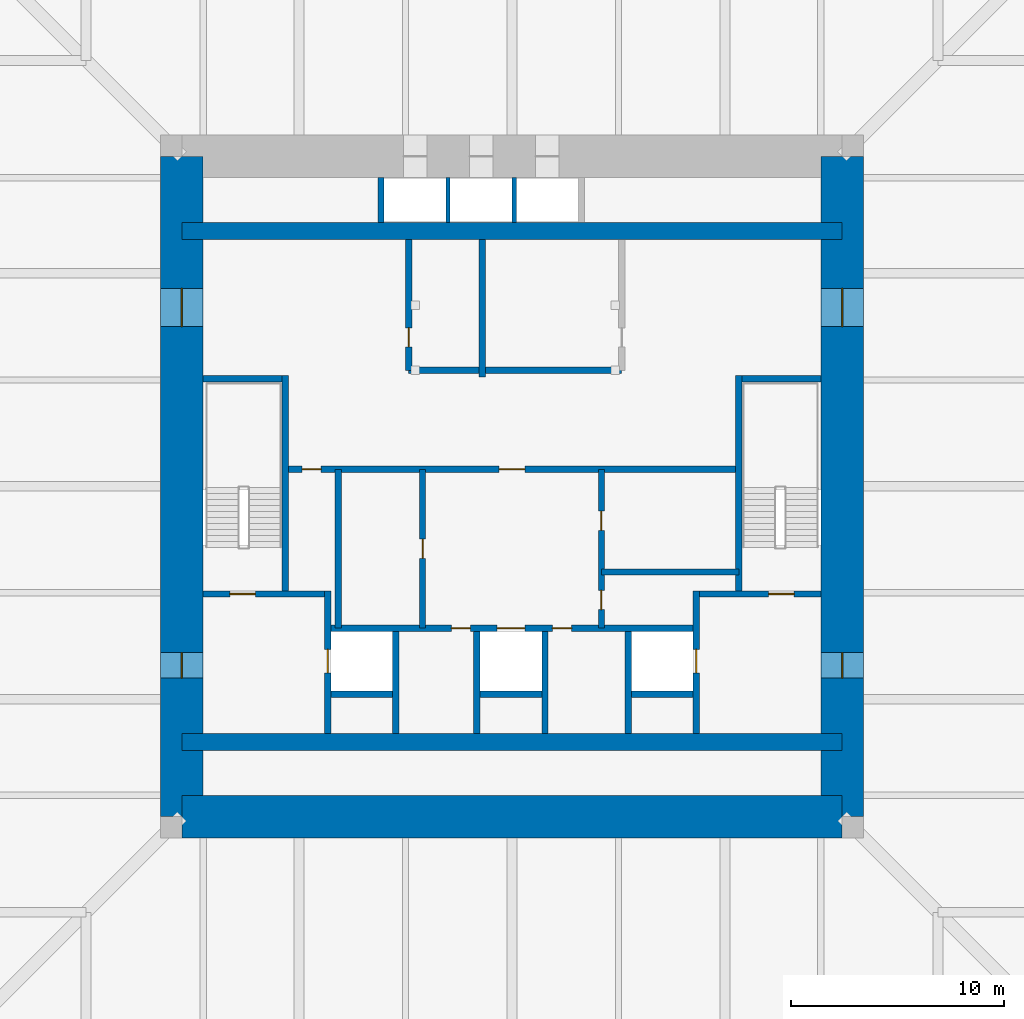
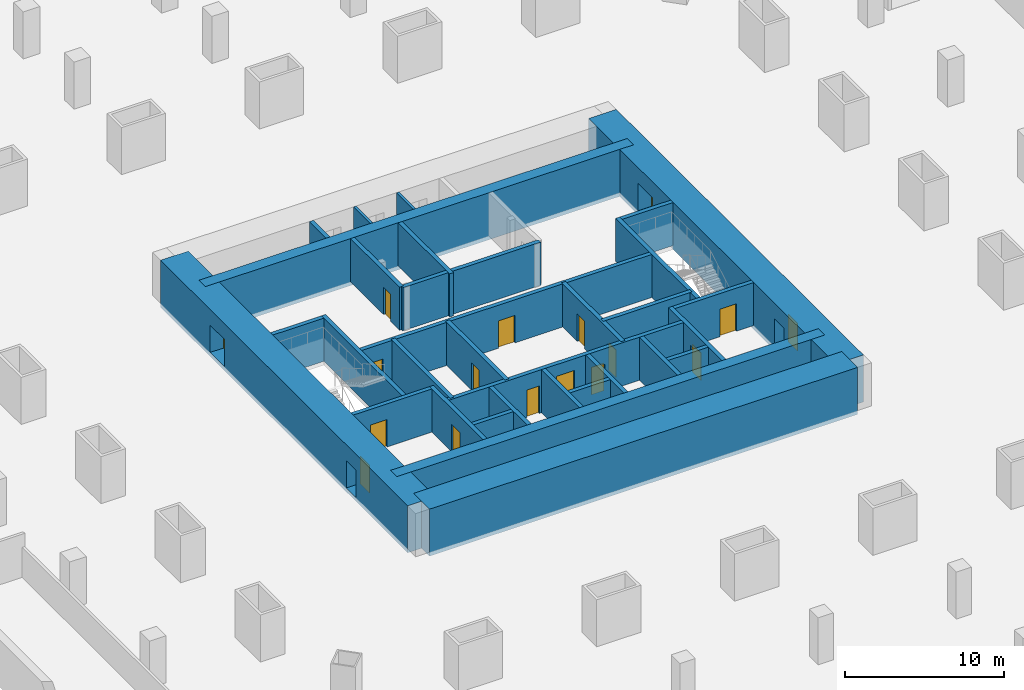
# One storey, part 5 of 11: 32 walls, 17 doors, 17 openings.
"""IFC4 building model written with IfcOpenShell, lengths in metres."""

from ifc_helpers import new_model, si_unit, direction, frame, frame_2d, origin, place, context, subcontext, project, spatial, rectangle, extrude, material, layer, layer_set, type_object, element, fill, save


model = new_model("IFC4")

# Units and contexts
model_context = context("Model", 3, precision=1e-05, world=origin(), true_north=direction((0.0, 1.0)))
body_context = subcontext(model_context, "Body", "Model", "MODEL_VIEW")
ifc_project = project(units=[si_unit("LENGTHUNIT", "METRE"), si_unit("AREAUNIT", "SQUARE_METRE"), si_unit("VOLUMEUNIT", "CUBIC_METRE"), si_unit("PLANEANGLEUNIT", "RADIAN"), si_unit("MASSUNIT", "GRAM", prefix="KILO")], contexts=[model_context])

# Site, building, storey
site_placement = place(None, origin())
site = spatial("IfcSite", under=ifc_project, at=site_placement, CompositionType="ELEMENT")
building_placement = place(site_placement, origin())
building = spatial("IfcBuilding", under=site, at=building_placement, Name="Khuree Lantern Residences", CompositionType="ELEMENT")
storey_placement = place(building_placement, frame((0.0, 0.0, -9.0)))
storey = spatial("IfcBuildingStorey", under=building, at=storey_placement, Name="B2", CompositionType="ELEMENT", Elevation=-9.0)

# Wall, opening, door
ifc_material_1 = material(Name="Dense concrete blockwork", Category="masonry")
ifc_layer_1 = layer(ifc_material_1, 0.300048828125)
ifc_layer_set_1 = layer_set([ifc_layer_1], Name="CORE PARTITION WALL CPW300 EI 120")
wall_type_1 = type_object("IfcWallType", Name="CORE PARTITION WALL CPW300 EI 120", PredefinedType="PARTITIONING", material=ifc_layer_set_1)
wall_1_placement = place(storey_placement, frame((-8.64990234375, -11.60009765625, 0.0), z_axis=(0.0, 0.0, 1.0), x_axis=(0.0, 1.0, 0.0)))
wall_1 = element("IfcWall", 1, at=wall_1_placement, inside=storey, type_object=wall_type_1, Name="B2 CORE WALL FL1W", PredefinedType="PARTITIONING", context=body_context, shape_type="SweptSolid", body=[
    extrude(rectangle(XDim=6.7001953125, YDim=0.300048828125, at=frame_2d((3.35009765625, 0.0))), origin(), (0.0, 0.0, 1.0), 3.300048828125),
])
opening_1_placement = place(wall_1_placement, frame((2.85009765625, 0.0, 0.0)))
opening_1 = element("IfcOpeningElement", 2, at=opening_1_placement, cuts=wall_1, Name="Opening B2-007", PredefinedType="OPENING", context=body_context, shape_type="SweptSolid", body=[
    extrude(rectangle(XDim=1.10009765625, YDim=2.10009765625, at=frame_2d((0.550048828125, 1.050048828125))), frame((0.0, 0.16015625, 0.0), z_axis=(0.0, -1.0, 0.0), x_axis=(1.0, 0.0, 0.0)), (0.0, 0.0, 1.0), 0.320068359375),
])
ifc_material_2 = material(Name="Stainless steel lift landing door", Category="steel")
door_type_1 = type_object("IfcDoorType", Name="LIFT LANDING DOOR 1100X2100 E 120", OperationType="DOUBLE_DOOR_SLIDING", PredefinedType="DOOR", material=ifc_material_2)
door_1_placement = place(opening_1_placement, origin())
door_1 = element("IfcDoor", 3, at=door_1_placement, inside=storey, type_object=door_type_1, Name="Landing door FL1 B2-007", OperationType="DOUBLE_DOOR_SLIDING", OverallHeight=2.10009765625, OverallWidth=1.10009765625, PredefinedType="DOOR", context=body_context, shape_type="SweptSolid", body=[
    extrude(rectangle(XDim=1.10009765625, YDim=2.10009765625, at=frame_2d((0.550048828125, 1.050048828125))), frame((0.0, 0.02490234375, 0.0), z_axis=(0.0, -1.0, 0.0), x_axis=(1.0, 0.0, 0.0)), (0.0, 0.0, 1.0), 0.050048828125),
])
fill(opening_1, door_1)

wall_2_placement = place(storey_placement, frame((8.64990234375, -11.60009765625, 0.0), z_axis=(0.0, 0.0, 1.0), x_axis=(0.0, 1.0, 0.0)))
wall_2 = element("IfcWall", 4, at=wall_2_placement, inside=storey, type_object=wall_type_1, Name="B2 CORE WALL FL2E", PredefinedType="PARTITIONING", context=body_context, shape_type="SweptSolid", body=[
    extrude(rectangle(XDim=6.7001953125, YDim=0.300048828125, at=frame_2d((3.35009765625, 0.0))), origin(), (0.0, 0.0, 1.0), 3.300048828125),
])
opening_2_placement = place(wall_2_placement, frame((2.85009765625, 0.0, 0.0)))
opening_2 = element("IfcOpeningElement", 5, at=opening_2_placement, cuts=wall_2, Name="Opening B2-008", PredefinedType="OPENING", context=body_context, shape_type="SweptSolid", body=[
    extrude(rectangle(XDim=1.10009765625, YDim=2.10009765625, at=frame_2d((0.550048828125, 1.050048828125))), frame((0.0, 0.16015625, 0.0), z_axis=(0.0, -1.0, 0.0), x_axis=(1.0, 0.0, 0.0)), (0.0, 0.0, 1.0), 0.320068359375),
])
door_2_placement = place(opening_2_placement, origin())
door_2 = element("IfcDoor", 6, at=door_2_placement, inside=storey, type_object=door_type_1, Name="Landing door FL2 B2-008", OperationType="DOUBLE_DOOR_SLIDING", OverallHeight=2.10009765625, OverallWidth=1.10009765625, PredefinedType="DOOR", context=body_context, shape_type="SweptSolid", body=[
    extrude(rectangle(XDim=1.10009765625, YDim=2.10009765625, at=frame_2d((0.550048828125, 1.050048828125))), frame((0.0, 0.02490234375, 0.0), z_axis=(0.0, -1.0, 0.0), x_axis=(1.0, 0.0, 0.0)), (0.0, 0.0, 1.0), 0.050048828125),
])
fill(opening_2, door_2)

# Wall, openings, doors
wall_3_placement = place(storey_placement, frame((-8.5, -6.64990234375, 0.0), z_axis=(0.0, 0.0, 1.0), x_axis=(1.0, 0.0, 0.0)))
wall_3 = element("IfcWall", 7, at=wall_3_placement, inside=storey, type_object=wall_type_1, Name="B2 CORE WALL FLROW", PredefinedType="PARTITIONING", context=body_context, shape_type="SweptSolid", body=[
    extrude(rectangle(XDim=17.0, YDim=0.300048828125, at=frame_2d((8.5, 0.0))), origin(), (0.0, 0.0, 1.0), 3.300048828125),
])
opening_3_placement = place(wall_3_placement, frame((7.800048828125, 0.0, 0.0)))
opening_3 = element("IfcOpeningElement", 8, at=opening_3_placement, cuts=wall_3, Name="Opening B2-012", PredefinedType="OPENING", context=body_context, shape_type="SweptSolid", body=[
    extrude(rectangle(XDim=1.300048828125, YDim=2.39990234375, at=frame_2d((0.64990234375, 1.199951171875))), frame((0.0, 0.16015625, 0.0), z_axis=(0.0, -1.0, 0.0), x_axis=(1.0, 0.0, 0.0)), (0.0, 0.0, 1.0), 0.320068359375),
])
opening_4_placement = place(wall_3_placement, frame((5.64990234375, 0.0, 0.0)))
opening_4 = element("IfcOpeningElement", 9, at=opening_4_placement, cuts=wall_3, Name="Opening B2-014", PredefinedType="OPENING", context=body_context, shape_type="SweptSolid", body=[
    extrude(rectangle(XDim=0.89990234375, YDim=2.10009765625, at=frame_2d((0.449951171875, 1.050048828125))), frame((0.0, 0.16015625, 0.0), z_axis=(0.0, -1.0, 0.0), x_axis=(1.0, 0.0, 0.0)), (0.0, 0.0, 1.0), 0.320068359375),
])
opening_5_placement = place(wall_3_placement, frame((10.39990234375, 0.0, 0.0)))
opening_5 = element("IfcOpeningElement", 10, at=opening_5_placement, cuts=wall_3, Name="Opening B2-015", PredefinedType="OPENING", context=body_context, shape_type="SweptSolid", body=[
    extrude(rectangle(XDim=0.89990234375, YDim=2.10009765625, at=frame_2d((0.449951171875, 1.050048828125))), frame((0.0, 0.16015625, 0.0), z_axis=(0.0, -1.0, 0.0), x_axis=(1.0, 0.0, 0.0)), (0.0, 0.0, 1.0), 0.320068359375),
])
ifc_material_3 = material(Name="Steel door leaf in steel frame", Category="steel")
door_type_2 = type_object("IfcDoorType", Name="DOOR 900X2100 EI 60", OperationType="SINGLE_SWING_LEFT", PredefinedType="DOOR", material=ifc_material_3)
door_3_placement = place(opening_4_placement, origin())
door_3 = element("IfcDoor", 11, at=door_3_placement, inside=storey, type_object=door_type_2, Name="Electrical riser door B2-014", OperationType="SINGLE_SWING_LEFT", OverallHeight=2.10009765625, OverallWidth=0.89990234375, PredefinedType="DOOR", context=body_context, shape_type="SweptSolid", body=[
    extrude(rectangle(XDim=0.89990234375, YDim=2.10009765625, at=frame_2d((0.449951171875, 1.050048828125))), frame((0.0, 0.02490234375, 0.0), z_axis=(0.0, -1.0, 0.0), x_axis=(1.0, 0.0, 0.0)), (0.0, 0.0, 1.0), 0.050048828125),
])
fill(opening_4, door_3)
door_type_3 = type_object("IfcDoorType", Name="DOOR 900X2100 EI 60 RIGHT HAND", OperationType="SINGLE_SWING_RIGHT", PredefinedType="DOOR", material=ifc_material_3)
door_4_placement = place(opening_5_placement, origin())
door_4 = element("IfcDoor", 12, at=door_4_placement, inside=storey, type_object=door_type_3, Name="Plumbing riser door B2-015", OperationType="SINGLE_SWING_RIGHT", OverallHeight=2.10009765625, OverallWidth=0.89990234375, PredefinedType="DOOR", context=body_context, shape_type="SweptSolid", body=[
    extrude(rectangle(XDim=0.89990234375, YDim=2.10009765625, at=frame_2d((0.449951171875, 1.050048828125))), frame((0.0, 0.02490234375, 0.0), z_axis=(0.0, -1.0, 0.0), x_axis=(1.0, 0.0, 0.0)), (0.0, 0.0, 1.0), 0.050048828125),
])
fill(opening_5, door_4)
door_type_4 = type_object("IfcDoorType", Name="LIFT LANDING DOOR 1300X2400 E 60", OperationType="DOUBLE_DOOR_SLIDING", PredefinedType="DOOR", material=ifc_material_2)
door_5_placement = place(opening_3_placement, origin())
door_5 = element("IfcDoor", 13, at=door_5_placement, inside=storey, type_object=door_type_4, Name="Landing door SL1 B2-012", OperationType="DOUBLE_DOOR_SLIDING", OverallHeight=2.39990234375, OverallWidth=1.300048828125, PredefinedType="DOOR", context=body_context, shape_type="SweptSolid", body=[
    extrude(rectangle(XDim=1.300048828125, YDim=2.39990234375, at=frame_2d((0.64990234375, 1.199951171875))), frame((0.0, 0.02490234375, 0.0), z_axis=(0.0, -1.0, 0.0), x_axis=(1.0, 0.0, 0.0)), (0.0, 0.0, 1.0), 0.050048828125),
])
fill(opening_3, door_5)

# Walls
for number, where, z_axis, x_axis, name in (
    (14, (-5.449951171875, -11.60009765625, 0.0), (0.0, 0.0, 1.0), (0.0, 1.0, 0.0), "B2 CORE WALL FL1E"),
    (15, (-1.64990234375, -11.60009765625, 0.0), (0.0, 0.0, 1.0), (0.0, 1.0, 0.0), "B2 CORE WALL SL1W"),
    (16, (1.550048828125, -11.60009765625, 0.0), (0.0, 0.0, 1.0), (0.0, 1.0, 0.0), "B2 CORE WALL SL1E"),
    (17, (5.449951171875, -11.60009765625, 0.0), (0.0, 0.0, 1.0), (0.0, 1.0, 0.0), "B2 CORE WALL FL2W"),
):
    element("IfcWall", number, at=place(storey_placement, frame(where, z_axis=z_axis, x_axis=x_axis)), inside=storey, type_object=wall_type_1, Name=name, PredefinedType="PARTITIONING", context=body_context, shape_type="SweptSolid", body=[
        extrude(rectangle(XDim=4.800048828125, YDim=0.300048828125, at=frame_2d((2.39990234375, 0.0))), origin(), (0.0, 0.0, 1.0), 3.300048828125),
    ])
for number, where, z_axis, x_axis, name in (
    (18, (-8.5, -9.75, 0.0), (0.0, 0.0, 1.0), (1.0, 0.0, 0.0), "B2 CORE WALL FL1S"),
    (19, (-1.5, -9.75, 0.0), (0.0, 0.0, 1.0), (1.0, 0.0, 0.0), "B2 CORE WALL SL1S"),
    (20, (5.60009765625, -9.75, 0.0), (0.0, 0.0, 1.0), (1.0, 0.0, 0.0), "B2 CORE WALL FL2S"),
):
    element("IfcWall", number, at=place(storey_placement, frame(where, z_axis=z_axis, x_axis=x_axis)), inside=storey, type_object=wall_type_1, Name=name, PredefinedType="PARTITIONING", context=body_context, shape_type="SweptSolid", body=[
        extrude(rectangle(XDim=2.89990234375, YDim=0.300048828125, at=frame_2d((1.449951171875, 0.0))), origin(), (0.0, 0.0, 1.0), 3.300048828125),
    ])
wall_4_placement = place(storey_placement, frame((-6.14990234375, 12.39990234375, 0.0), z_axis=(0.0, 0.0, 1.0), x_axis=(0.0, 1.0, 0.0)))
element("IfcWall", 21, at=wall_4_placement, inside=storey, type_object=wall_type_1, Name="B2 CORE WALL PLW", PredefinedType="PARTITIONING", context=body_context, shape_type="SweptSolid", body=[
    extrude(rectangle(XDim=2.10009765625, YDim=0.300048828125, at=frame_2d((1.050048828125, 0.0))), origin(), (0.0, 0.0, 1.0), 3.300048828125),
])

# Wall, openings, doors
wall_5_placement = place(storey_placement, frame((-10.64990234375, 0.800048828125, 0.0), z_axis=(0.0, 0.0, 1.0), x_axis=(1.0, 0.0, 0.0)))
wall_5 = element("IfcWall", 22, at=wall_5_placement, inside=storey, type_object=wall_type_1, Name="B2 CORE WALL LLS", PredefinedType="PARTITIONING", context=body_context, shape_type="SweptSolid", body=[
    extrude(rectangle(XDim=21.2998046875, YDim=0.300048828125, at=frame_2d((10.64990234375, 0.0))), origin(), (0.0, 0.0, 1.0), 3.300048828125),
])
opening_6_placement = place(wall_5_placement, frame((10.050048828125, 0.0, 0.0)))
opening_6 = element("IfcOpeningElement", 23, at=opening_6_placement, cuts=wall_5, Name="Opening B2-013", PredefinedType="OPENING", context=body_context, shape_type="SweptSolid", body=[
    extrude(rectangle(XDim=1.199951171875, YDim=2.10009765625, at=frame_2d((0.60009765625, 1.050048828125))), frame((0.0, 0.16015625, 0.0), z_axis=(0.0, -1.0, 0.0), x_axis=(1.0, 0.0, 0.0)), (0.0, 0.0, 1.0), 0.320068359375),
])
opening_7_placement = place(wall_5_placement, frame((0.79296875, 0.0, 0.0)))
opening_7 = element("IfcOpeningElement", 24, at=opening_7_placement, cuts=wall_5, Name="Opening B2-017", PredefinedType="OPENING", context=body_context, shape_type="SweptSolid", body=[
    extrude(rectangle(XDim=0.89990234375, YDim=2.10009765625, at=frame_2d((0.449951171875, 1.050048828125))), frame((0.0, 0.16015625, 0.0), z_axis=(0.0, -1.0, 0.0), x_axis=(1.0, 0.0, 0.0)), (0.0, 0.0, 1.0), 0.320068359375),
])
door_type_5 = type_object("IfcDoorType", Name="DOOR 1200X2100 EI 60", OperationType="SINGLE_SWING_LEFT", PredefinedType="DOOR", material=ifc_material_3)
door_6_placement = place(opening_6_placement, origin())
door_6 = element("IfcDoor", 25, at=door_6_placement, inside=storey, type_object=door_type_5, Name="Service lift lobby door B2-013", OperationType="SINGLE_SWING_LEFT", OverallHeight=2.10009765625, OverallWidth=1.199951171875, PredefinedType="DOOR", context=body_context, shape_type="SweptSolid", body=[
    extrude(rectangle(XDim=1.199951171875, YDim=2.10009765625, at=frame_2d((0.60009765625, 1.050048828125))), frame((0.0, 0.02490234375, 0.0), z_axis=(0.0, -1.0, 0.0), x_axis=(1.0, 0.0, 0.0)), (0.0, 0.0, 1.0), 0.050048828125),
])
fill(opening_6, door_6)
ifc_material_4 = material(Name="Timber door leaf in hardwood frame", Category="wood")
door_type_6 = type_object("IfcDoorType", Name="DOOR 900X2100", OperationType="SINGLE_SWING_LEFT", PredefinedType="DOOR", material=ifc_material_4)
door_7_placement = place(opening_7_placement, origin())
door_7 = element("IfcDoor", 26, at=door_7_placement, inside=storey, type_object=door_type_6, Name="Spares store door B2-017", OperationType="SINGLE_SWING_LEFT", OverallHeight=2.10009765625, OverallWidth=0.89990234375, PredefinedType="DOOR", context=body_context, shape_type="SweptSolid", body=[
    extrude(rectangle(XDim=0.89990234375, YDim=2.10009765625, at=frame_2d((0.449951171875, 1.050048828125))), frame((0.0, 0.02490234375, 0.0), z_axis=(0.0, -1.0, 0.0), x_axis=(1.0, 0.0, 0.0)), (0.0, 0.0, 1.0), 0.050048828125),
])
fill(opening_7, door_7)

# Wall, opening, door
wall_6_placement = place(storey_placement, frame((-4.199951171875, -6.64990234375, 0.0), z_axis=(0.0, 0.0, 1.0), x_axis=(0.0, 1.0, 0.0)))
wall_6 = element("IfcWall", 27, at=wall_6_placement, inside=storey, type_object=wall_type_1, Name="B2 CORE WALL SVW", PredefinedType="PARTITIONING", context=body_context, shape_type="SweptSolid", body=[
    extrude(rectangle(XDim=7.449951171875, YDim=0.300048828125, at=frame_2d((3.72509765625, 0.0))), origin(), (0.0, 0.0, 1.0), 3.300048828125),
])
opening_8_placement = place(wall_6_placement, frame((3.27490234375, 0.0, 0.0)))
opening_8 = element("IfcOpeningElement", 28, at=opening_8_placement, cuts=wall_6, Name="Opening B2-016", PredefinedType="OPENING", context=body_context, shape_type="SweptSolid", body=[
    extrude(rectangle(XDim=0.89990234375, YDim=2.10009765625, at=frame_2d((0.449951171875, 1.050048828125))), frame((0.0, 0.16015625, 0.0), z_axis=(0.0, -1.0, 0.0), x_axis=(1.0, 0.0, 0.0)), (0.0, 0.0, 1.0), 0.320068359375),
])
door_8_placement = place(opening_8_placement, origin())
door_8 = element("IfcDoor", 29, at=door_8_placement, inside=storey, type_object=door_type_6, Name="Store door B2-016", OperationType="SINGLE_SWING_LEFT", OverallHeight=2.10009765625, OverallWidth=0.89990234375, PredefinedType="DOOR", context=body_context, shape_type="SweptSolid", body=[
    extrude(rectangle(XDim=0.89990234375, YDim=2.10009765625, at=frame_2d((0.449951171875, 1.050048828125))), frame((0.0, 0.02490234375, 0.0), z_axis=(0.0, -1.0, 0.0), x_axis=(1.0, 0.0, 0.0)), (0.0, 0.0, 1.0), 0.050048828125),
])
fill(opening_8, door_8)

# Wall, openings, doors
wall_7_placement = place(storey_placement, frame((4.199951171875, -6.64990234375, 0.0), z_axis=(0.0, 0.0, 1.0), x_axis=(0.0, 1.0, 0.0)))
wall_7 = element("IfcWall", 30, at=wall_7_placement, inside=storey, type_object=wall_type_1, Name="B2 CORE WALL SVE", PredefinedType="PARTITIONING", context=body_context, shape_type="SweptSolid", body=[
    extrude(rectangle(XDim=7.449951171875, YDim=0.300048828125, at=frame_2d((3.72509765625, 0.0))), origin(), (0.0, 0.0, 1.0), 3.300048828125),
])
opening_9_placement = place(wall_7_placement, frame((0.865966796875, 0.0, 0.0)))
opening_9 = element("IfcOpeningElement", 31, at=opening_9_placement, cuts=wall_7, Name="Opening B2-018", PredefinedType="OPENING", context=body_context, shape_type="SweptSolid", body=[
    extrude(rectangle(XDim=0.89990234375, YDim=2.10009765625, at=frame_2d((0.449951171875, 1.050048828125))), frame((0.0, 0.16015625, 0.0), z_axis=(0.0, -1.0, 0.0), x_axis=(1.0, 0.0, 0.0)), (0.0, 0.0, 1.0), 0.320068359375),
])
opening_10_placement = place(wall_7_placement, frame((4.591064453125, 0.0, 0.0)))
opening_10 = element("IfcOpeningElement", 32, at=opening_10_placement, cuts=wall_7, Name="Opening B2-019", PredefinedType="OPENING", context=body_context, shape_type="SweptSolid", body=[
    extrude(rectangle(XDim=0.89990234375, YDim=2.10009765625, at=frame_2d((0.449951171875, 1.050048828125))), frame((0.0, 0.16015625, 0.0), z_axis=(0.0, -1.0, 0.0), x_axis=(1.0, 0.0, 0.0)), (0.0, 0.0, 1.0), 0.320068359375),
])
door_9_placement = place(opening_9_placement, origin())
door_9 = element("IfcDoor", 33, at=door_9_placement, inside=storey, type_object=door_type_6, Name="Spares store door B2-018", OperationType="SINGLE_SWING_LEFT", OverallHeight=2.10009765625, OverallWidth=0.89990234375, PredefinedType="DOOR", context=body_context, shape_type="SweptSolid", body=[
    extrude(rectangle(XDim=0.89990234375, YDim=2.10009765625, at=frame_2d((0.449951171875, 1.050048828125))), frame((0.0, 0.02490234375, 0.0), z_axis=(0.0, -1.0, 0.0), x_axis=(1.0, 0.0, 0.0)), (0.0, 0.0, 1.0), 0.050048828125),
])
fill(opening_9, door_9)
door_type_7 = type_object("IfcDoorType", Name="DOOR 900X2100 RIGHT HAND", OperationType="SINGLE_SWING_RIGHT", PredefinedType="DOOR", material=ifc_material_4)
door_10_placement = place(opening_10_placement, origin())
door_10 = element("IfcDoor", 34, at=door_10_placement, inside=storey, type_object=door_type_7, Name="Store door B2-019", OperationType="SINGLE_SWING_RIGHT", OverallHeight=2.10009765625, OverallWidth=0.89990234375, PredefinedType="DOOR", context=body_context, shape_type="SweptSolid", body=[
    extrude(rectangle(XDim=0.89990234375, YDim=2.10009765625, at=frame_2d((0.449951171875, 1.050048828125))), frame((0.0, 0.02490234375, 0.0), z_axis=(0.0, -1.0, 0.0), x_axis=(1.0, 0.0, 0.0)), (0.0, 0.0, 1.0), 0.050048828125),
])
fill(opening_10, door_10)

# Walls
wall_8_placement = place(storey_placement, frame((-8.1630859375, -6.64990234375, 0.0), z_axis=(0.0, 0.0, 1.0), x_axis=(0.0, 1.0, 0.0)))
element("IfcWall", 35, at=wall_8_placement, inside=storey, type_object=wall_type_1, Name="B2 CORE WALL WV", PredefinedType="PARTITIONING", context=body_context, shape_type="SweptSolid", body=[
    extrude(rectangle(XDim=7.449951171875, YDim=0.300048828125, at=frame_2d((3.72509765625, 0.0))), origin(), (0.0, 0.0, 1.0), 3.300048828125),
])
wall_9_placement = place(storey_placement, frame((10.64990234375, -4.01806640625, 0.0), z_axis=(0.0, 0.0, 1.0), x_axis=(-1.0, 0.0, 0.0)))
element("IfcWall", 36, at=wall_9_placement, inside=storey, type_object=wall_type_1, Name="B2 CORE WALL EX", PredefinedType="PARTITIONING", context=body_context, shape_type="SweptSolid", body=[
    extrude(rectangle(XDim=6.449951171875, YDim=0.300048828125, at=frame_2d((3.22509765625, 0.0))), origin(), (0.0, 0.0, 1.0), 3.300048828125),
])
wall_10_placement = place(storey_placement, frame((-4.85009765625, 5.449951171875, 0.0), z_axis=(0.0, 0.0, 1.0), x_axis=(1.0, 0.0, 0.0)))
element("IfcWall", 37, at=wall_10_placement, inside=storey, type_object=wall_type_1, Name="B2 CORE WALL LLN", PredefinedType="PARTITIONING", context=body_context, shape_type="SweptSolid", body=[
    extrude(rectangle(XDim=10.0, YDim=0.300048828125, at=frame_2d((5.0, 0.0))), origin(), (0.0, 0.0, 1.0), 3.300048828125),
])

# Wall, opening, door
wall_11_placement = place(storey_placement, frame((-4.85009765625, 5.449951171875, 0.0), z_axis=(0.0, 0.0, 1.0), x_axis=(0.0, 1.0, 0.0)))
wall_11 = element("IfcWall", 38, at=wall_11_placement, inside=storey, type_object=wall_type_1, Name="B2 CORE WALL NW", PredefinedType="PARTITIONING", context=body_context, shape_type="SweptSolid", body=[
    extrude(rectangle(XDim=6.150146484375, YDim=0.300048828125, at=frame_2d((3.0751953125, 0.0))), origin(), (0.0, 0.0, 1.0), 3.300048828125),
])
opening_11_placement = place(wall_11_placement, frame((1.10009765625, 0.0, 0.0)))
opening_11 = element("IfcOpeningElement", 39, at=opening_11_placement, cuts=wall_11, Name="Opening B2-020", PredefinedType="OPENING", context=body_context, shape_type="SweptSolid", body=[
    extrude(rectangle(XDim=0.89990234375, YDim=2.10009765625, at=frame_2d((0.449951171875, 1.050048828125))), frame((0.0, 0.16015625, 0.0), z_axis=(0.0, -1.0, 0.0), x_axis=(1.0, 0.0, 0.0)), (0.0, 0.0, 1.0), 0.320068359375),
])
door_11_placement = place(opening_11_placement, origin())
door_11 = element("IfcDoor", 40, at=door_11_placement, inside=storey, type_object=door_type_6, Name="Maintenance store door B2-020", OperationType="SINGLE_SWING_LEFT", OverallHeight=2.10009765625, OverallWidth=0.89990234375, PredefinedType="DOOR", context=body_context, shape_type="SweptSolid", body=[
    extrude(rectangle(XDim=0.89990234375, YDim=2.10009765625, at=frame_2d((0.449951171875, 1.050048828125))), frame((0.0, 0.02490234375, 0.0), z_axis=(0.0, -1.0, 0.0), x_axis=(1.0, 0.0, 0.0)), (0.0, 0.0, 1.0), 0.050048828125),
])
fill(opening_11, door_11)

# Wall
wall_12_placement = place(storey_placement, frame((-1.39990234375, 5.14990234375, 0.0), z_axis=(0.0, 0.0, 1.0), x_axis=(0.0, 1.0, 0.0)))
element("IfcWall", 41, at=wall_12_placement, inside=storey, type_object=wall_type_1, Name="B2 CORE WALL NX", PredefinedType="PARTITIONING", context=body_context, shape_type="SweptSolid", body=[
    extrude(rectangle(XDim=6.4501953125, YDim=0.300048828125, at=frame_2d((3.22509765625, 0.0))), origin(), (0.0, 0.0, 1.0), 3.300048828125),
])

# Wall, openings, doors
ifc_material_5 = material(Name="Concrete C70/85", Category="concrete")
ifc_layer_2 = layer(ifc_material_5, 2.0)
ifc_layer_set_2 = layer_set([ifc_layer_2], Name="CW2000-C70 CORE WALL C70 2000")
wall_type_2 = type_object("IfcWallType", Name="CW2000-C70 CORE WALL C70 2000", PredefinedType="SHEAR", material=ifc_layer_set_2)
wall_13_placement = place(storey_placement, frame((15.5, -15.5, -0.300048828125), z_axis=(0.0, 0.0, 1.0), x_axis=(0.0, 1.0, 0.0)))
wall_13 = element("IfcWall", 42, at=wall_13_placement, inside=storey, type_object=wall_type_2, Name="Core wall E", PredefinedType="SHEAR", context=body_context, shape_type="SweptSolid", body=[
    extrude(rectangle(XDim=31.0, YDim=2.0, at=frame_2d((15.5, 0.0))), origin(), (0.0, 0.0, 1.0), 3.60009765625),
])
opening_12_placement = place(wall_13_placement, frame((6.5, 0.0, 0.300048828125)))
opening_12 = element("IfcOpeningElement", 43, at=opening_12_placement, cuts=wall_13, Name="Opening B2-005", PredefinedType="OPENING", context=body_context, shape_type="SweptSolid", body=[
    extrude(rectangle(XDim=1.199951171875, YDim=2.10009765625, at=frame_2d((0.60009765625, 1.050048828125))), frame((0.0, 1.010009765625, 0.0), z_axis=(0.0, -1.0, 0.0), x_axis=(1.0, 0.0, 0.0)), (0.0, 0.0, 1.0), 2.02001953125),
])
opening_13_placement = place(wall_13_placement, frame((23.0, 0.0, 0.300048828125)))
opening_13 = element("IfcOpeningElement", 44, at=opening_13_placement, cuts=wall_13, Name="Opening B2-006", PredefinedType="OPENING", context=body_context, shape_type="SweptSolid", body=[
    extrude(rectangle(XDim=1.800048828125, YDim=2.10009765625, at=frame_2d((0.89990234375, 1.050048828125))), frame((0.0, 1.010009765625, 0.0), z_axis=(0.0, -1.0, 0.0), x_axis=(1.0, 0.0, 0.0)), (0.0, 0.0, 1.0), 2.02001953125),
])
door_type_8 = type_object("IfcDoorType", Name="LOBBY DOOR 1200X2100 EI 120", OperationType="SINGLE_SWING_LEFT", PredefinedType="DOOR", material=ifc_material_3)
door_12_placement = place(opening_12_placement, origin())
door_12 = element("IfcDoor", 45, at=door_12_placement, inside=storey, type_object=door_type_8, Name="Firefighting lobby door B2-005", OperationType="SINGLE_SWING_LEFT", OverallHeight=2.10009765625, OverallWidth=1.199951171875, PredefinedType="DOOR", context=body_context, shape_type="SweptSolid", body=[
    extrude(rectangle(XDim=1.199951171875, YDim=2.10009765625, at=frame_2d((0.60009765625, 1.050048828125))), frame((0.0, 0.02490234375, 0.0), z_axis=(0.0, -1.0, 0.0), x_axis=(1.0, 0.0, 0.0)), (0.0, 0.0, 1.0), 0.050048828125),
])
fill(opening_12, door_12)
door_type_9 = type_object("IfcDoorType", Name="LOBBY DOUBLE DOOR 1800X2100 EI 60", OperationType="DOUBLE_DOOR_SINGLE_SWING", PredefinedType="DOOR", material=ifc_material_3)
door_13_placement = place(opening_13_placement, origin())
door_13 = element("IfcDoor", 46, at=door_13_placement, inside=storey, type_object=door_type_9, Name="Lift lobby door B2-006", OperationType="DOUBLE_DOOR_SINGLE_SWING", OverallHeight=2.10009765625, OverallWidth=1.800048828125, PredefinedType="DOOR", context=body_context, shape_type="SweptSolid", body=[
    extrude(rectangle(XDim=1.800048828125, YDim=2.10009765625, at=frame_2d((0.89990234375, 1.050048828125))), frame((0.0, 0.02490234375, 0.0), z_axis=(0.0, -1.0, 0.0), x_axis=(1.0, 0.0, 0.0)), (0.0, 0.0, 1.0), 0.050048828125),
])
fill(opening_13, door_13)

# Wall
wall_14_placement = place(storey_placement, frame((-15.5, -15.5, -0.300048828125), z_axis=(0.0, 0.0, 1.0), x_axis=(1.0, 0.0, 0.0)))
element("IfcWall", 47, at=wall_14_placement, inside=storey, type_object=wall_type_2, Name="Core wall S", PredefinedType="SHEAR", context=body_context, shape_type="SweptSolid", body=[
    extrude(rectangle(XDim=31.0, YDim=2.0, at=frame_2d((15.5, 0.0))), origin(), (0.0, 0.0, 1.0), 3.60009765625),
])

# Wall, openings, doors
wall_15_placement = place(storey_placement, frame((-15.5, -15.5, -0.300048828125), z_axis=(0.0, 0.0, 1.0), x_axis=(0.0, 1.0, 0.0)))
wall_15 = element("IfcWall", 48, at=wall_15_placement, inside=storey, type_object=wall_type_2, Name="Core wall W", PredefinedType="SHEAR", context=body_context, shape_type="SweptSolid", body=[
    extrude(rectangle(XDim=31.0, YDim=2.0, at=frame_2d((15.5, 0.0))), origin(), (0.0, 0.0, 1.0), 3.60009765625),
])
opening_14_placement = place(wall_15_placement, frame((6.5, 0.0, 0.300048828125)))
opening_14 = element("IfcOpeningElement", 49, at=opening_14_placement, cuts=wall_15, Name="Opening B2-002", PredefinedType="OPENING", context=body_context, shape_type="SweptSolid", body=[
    extrude(rectangle(XDim=1.199951171875, YDim=2.10009765625, at=frame_2d((0.60009765625, 1.050048828125))), frame((0.0, 1.010009765625, 0.0), z_axis=(0.0, -1.0, 0.0), x_axis=(1.0, 0.0, 0.0)), (0.0, 0.0, 1.0), 2.02001953125),
])
opening_15_placement = place(wall_15_placement, frame((23.0, 0.0, 0.300048828125)))
opening_15 = element("IfcOpeningElement", 50, at=opening_15_placement, cuts=wall_15, Name="Opening B2-003", PredefinedType="OPENING", context=body_context, shape_type="SweptSolid", body=[
    extrude(rectangle(XDim=1.800048828125, YDim=2.10009765625, at=frame_2d((0.89990234375, 1.050048828125))), frame((0.0, 1.010009765625, 0.0), z_axis=(0.0, -1.0, 0.0), x_axis=(1.0, 0.0, 0.0)), (0.0, 0.0, 1.0), 2.02001953125),
])
door_14_placement = place(opening_14_placement, origin())
door_14 = element("IfcDoor", 51, at=door_14_placement, inside=storey, type_object=door_type_8, Name="Firefighting lobby door B2-002", OperationType="SINGLE_SWING_LEFT", OverallHeight=2.10009765625, OverallWidth=1.199951171875, PredefinedType="DOOR", context=body_context, shape_type="SweptSolid", body=[
    extrude(rectangle(XDim=1.199951171875, YDim=2.10009765625, at=frame_2d((0.60009765625, 1.050048828125))), frame((0.0, 0.02490234375, 0.0), z_axis=(0.0, -1.0, 0.0), x_axis=(1.0, 0.0, 0.0)), (0.0, 0.0, 1.0), 0.050048828125),
])
fill(opening_14, door_14)
door_15_placement = place(opening_15_placement, origin())
door_15 = element("IfcDoor", 52, at=door_15_placement, inside=storey, type_object=door_type_9, Name="Lift lobby door B2-003", OperationType="DOUBLE_DOOR_SINGLE_SWING", OverallHeight=2.10009765625, OverallWidth=1.800048828125, PredefinedType="DOOR", context=body_context, shape_type="SweptSolid", body=[
    extrude(rectangle(XDim=1.800048828125, YDim=2.10009765625, at=frame_2d((0.89990234375, 1.050048828125))), frame((0.0, 0.02490234375, 0.0), z_axis=(0.0, -1.0, 0.0), x_axis=(1.0, 0.0, 0.0)), (0.0, 0.0, 1.0), 0.050048828125),
])
fill(opening_15, door_15)

# Walls
ifc_layer_3 = layer(ifc_material_1, 0.199951171875)
ifc_layer_set_3 = layer_set([ifc_layer_3], Name="SHAFT WALL SHW200 EI 120")
wall_type_3 = type_object("IfcWallType", Name="SHAFT WALL SHW200 EI 120", PredefinedType="PARTITIONING", material=ifc_layer_set_3)
for number, where, z_axis, x_axis, name in (
    (53, (-3.0, 12.39990234375, 0.0), (0.0, 0.0, 1.0), (0.0, 1.0, 0.0), "B2 CORE WALL PLD1"),
    (54, (0.10009765625, 12.39990234375, 0.0), (0.0, 0.0, 1.0), (0.0, 1.0, 0.0), "B2 CORE WALL PLD2"),
):
    element("IfcWall", number, at=place(storey_placement, frame(where, z_axis=z_axis, x_axis=x_axis)), inside=storey, type_object=wall_type_3, Name=name, PredefinedType="PARTITIONING", context=body_context, shape_type="SweptSolid", body=[
        extrude(rectangle(XDim=2.10009765625, YDim=0.199951171875, at=frame_2d((1.050048828125, 0.0))), origin(), (0.0, 0.0, 1.0), 3.300048828125),
    ])
ifc_layer_4 = layer(ifc_material_5, 0.800048828125)
ifc_layer_set_4 = layer_set([ifc_layer_4], Name="SP800-C70 CORE SPINE WALL C70 800")
wall_type_4 = type_object("IfcWallType", Name="SP800-C70 CORE SPINE WALL C70 800", PredefinedType="SHEAR", material=ifc_layer_set_4)
for number, where, z_axis, x_axis, name in (
    (55, (-15.5, 12.0, -0.300048828125), (0.0, 0.0, 1.0), (1.0, 0.0, 0.0), "Core wall SPN"),
    (56, (-15.5, -12.0, -0.300048828125), (0.0, 0.0, 1.0), (1.0, 0.0, 0.0), "Core wall SPS"),
):
    element("IfcWall", number, at=place(storey_placement, frame(where, z_axis=z_axis, x_axis=x_axis)), inside=storey, type_object=wall_type_4, Name=name, PredefinedType="SHEAR", context=body_context, shape_type="SweptSolid", body=[
        extrude(rectangle(XDim=31.0, YDim=0.800048828125, at=frame_2d((15.5, 0.0))), origin(), (0.0, 0.0, 1.0), 3.60009765625),
    ])
ifc_material_6 = material(Name="Concrete C50/60", Category="concrete")
ifc_layer_5 = layer(ifc_material_6, 0.300048828125)
ifc_layer_set_5 = layer_set([ifc_layer_5], Name="STAIR WALL SRW300 C50/60 REI 240")
wall_type_5 = type_object("IfcWallType", Name="STAIR WALL SRW300 C50/60 REI 240", PredefinedType="SOLIDWALL", material=ifc_layer_set_5)
wall_16_placement = place(storey_placement, frame((-10.64990234375, -4.89990234375, 0.0), z_axis=(0.0, 0.0, 1.0), x_axis=(0.0, 1.0, 0.0)))
element("IfcWall", 57, at=wall_16_placement, inside=storey, type_object=wall_type_5, Name="B2 STAIR WALL ST1E", PredefinedType="SOLIDWALL", context=body_context, shape_type="SweptSolid", body=[
    extrude(rectangle(XDim=10.099853515625, YDim=0.300048828125, at=frame_2d((5.0498046875, 0.0))), origin(), (0.0, 0.0, 1.0), 3.300048828125),
])

# Wall, opening, door
wall_17_placement = place(storey_placement, frame((-14.5, -5.050048828125, 0.0), z_axis=(0.0, 0.0, 1.0), x_axis=(1.0, 0.0, 0.0)))
wall_17 = element("IfcWall", 58, at=wall_17_placement, inside=storey, type_object=wall_type_5, Name="B2 STAIR WALL ST1S", PredefinedType="SOLIDWALL", context=body_context, shape_type="SweptSolid", body=[
    extrude(rectangle(XDim=5.699951171875, YDim=0.300048828125, at=frame_2d((2.85009765625, 0.0))), origin(), (0.0, 0.0, 1.0), 3.300048828125),
])
opening_16_placement = place(wall_17_placement, frame((1.25, 0.0, 0.0)))
opening_16 = element("IfcOpeningElement", 59, at=opening_16_placement, cuts=wall_17, Name="Opening B2-001", PredefinedType="OPENING", context=body_context, shape_type="SweptSolid", body=[
    extrude(rectangle(XDim=1.199951171875, YDim=2.10009765625, at=frame_2d((0.60009765625, 1.050048828125))), frame((0.0, 0.16015625, 0.0), z_axis=(0.0, -1.0, 0.0), x_axis=(1.0, 0.0, 0.0)), (0.0, 0.0, 1.0), 0.320068359375),
])
door_type_10 = type_object("IfcDoorType", Name="STAIR DOOR 1200X2100 EI 120", OperationType="SINGLE_SWING_LEFT", PredefinedType="DOOR", material=ifc_material_3)
door_16_placement = place(opening_16_placement, origin())
door_16 = element("IfcDoor", 60, at=door_16_placement, inside=storey, type_object=door_type_10, Name="Stair ST1 door B2-001", OperationType="SINGLE_SWING_LEFT", OverallHeight=2.10009765625, OverallWidth=1.199951171875, PredefinedType="DOOR", context=body_context, shape_type="SweptSolid", body=[
    extrude(rectangle(XDim=1.199951171875, YDim=2.10009765625, at=frame_2d((0.60009765625, 1.050048828125))), frame((0.0, 0.02490234375, 0.0), z_axis=(0.0, -1.0, 0.0), x_axis=(1.0, 0.0, 0.0)), (0.0, 0.0, 1.0), 0.050048828125),
])
fill(opening_16, door_16)

# Walls
wall_18_placement = place(storey_placement, frame((-14.5, 5.050048828125, 0.0), z_axis=(0.0, 0.0, 1.0), x_axis=(1.0, 0.0, 0.0)))
element("IfcWall", 61, at=wall_18_placement, inside=storey, type_object=wall_type_5, Name="B2 STAIR WALL ST1N", PredefinedType="SOLIDWALL", context=body_context, shape_type="SweptSolid", body=[
    extrude(rectangle(XDim=3.699951171875, YDim=0.300048828125, at=frame_2d((1.85009765625, 0.0))), origin(), (0.0, 0.0, 1.0), 3.300048828125),
])
wall_19_placement = place(storey_placement, frame((10.64990234375, -4.89990234375, 0.0), z_axis=(0.0, 0.0, 1.0), x_axis=(0.0, 1.0, 0.0)))
element("IfcWall", 62, at=wall_19_placement, inside=storey, type_object=wall_type_5, Name="B2 STAIR WALL ST2E", PredefinedType="SOLIDWALL", context=body_context, shape_type="SweptSolid", body=[
    extrude(rectangle(XDim=10.099853515625, YDim=0.300048828125, at=frame_2d((5.0498046875, 0.0))), origin(), (0.0, 0.0, 1.0), 3.300048828125),
])

# Wall, opening, door
wall_20_placement = place(storey_placement, frame((14.5, -5.050048828125, 0.0), z_axis=(0.0, 0.0, 1.0), x_axis=(-1.0, 0.0, 0.0)))
wall_20 = element("IfcWall", 63, at=wall_20_placement, inside=storey, type_object=wall_type_5, Name="B2 STAIR WALL ST2S", PredefinedType="SOLIDWALL", context=body_context, shape_type="SweptSolid", body=[
    extrude(rectangle(XDim=5.699951171875, YDim=0.300048828125, at=frame_2d((2.85009765625, 0.0))), origin(), (0.0, 0.0, 1.0), 3.300048828125),
])
opening_17_placement = place(wall_20_placement, frame((1.25, 0.0, 0.0)))
opening_17 = element("IfcOpeningElement", 64, at=opening_17_placement, cuts=wall_20, Name="Opening B2-004", PredefinedType="OPENING", context=body_context, shape_type="SweptSolid", body=[
    extrude(rectangle(XDim=1.199951171875, YDim=2.10009765625, at=frame_2d((0.60009765625, 1.050048828125))), frame((0.0, 0.16015625, 0.0), z_axis=(0.0, -1.0, 0.0), x_axis=(1.0, 0.0, 0.0)), (0.0, 0.0, 1.0), 0.320068359375),
])
door_17_placement = place(opening_17_placement, origin())
door_17 = element("IfcDoor", 65, at=door_17_placement, inside=storey, type_object=door_type_10, Name="Stair ST2 door B2-004", OperationType="SINGLE_SWING_LEFT", OverallHeight=2.10009765625, OverallWidth=1.199951171875, PredefinedType="DOOR", context=body_context, shape_type="SweptSolid", body=[
    extrude(rectangle(XDim=1.199951171875, YDim=2.10009765625, at=frame_2d((0.60009765625, 1.050048828125))), frame((0.0, 0.02490234375, 0.0), z_axis=(0.0, -1.0, 0.0), x_axis=(1.0, 0.0, 0.0)), (0.0, 0.0, 1.0), 0.050048828125),
])
fill(opening_17, door_17)

# Wall
wall_21_placement = place(storey_placement, frame((14.5, 5.050048828125, 0.0), z_axis=(0.0, 0.0, 1.0), x_axis=(-1.0, 0.0, 0.0)))
element("IfcWall", 66, at=wall_21_placement, inside=storey, type_object=wall_type_5, Name="B2 STAIR WALL ST2N", PredefinedType="SOLIDWALL", context=body_context, shape_type="SweptSolid", body=[
    extrude(rectangle(XDim=3.699951171875, YDim=0.300048828125, at=frame_2d((1.85009765625, 0.0))), origin(), (0.0, 0.0, 1.0), 3.300048828125),
])

save(model, "model.ifc")
